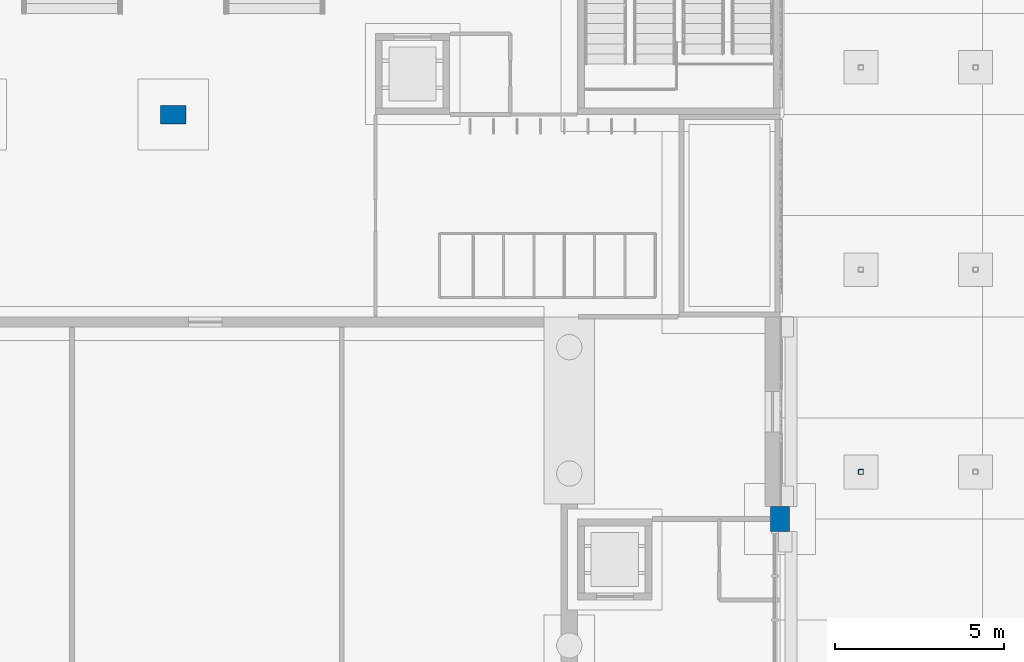
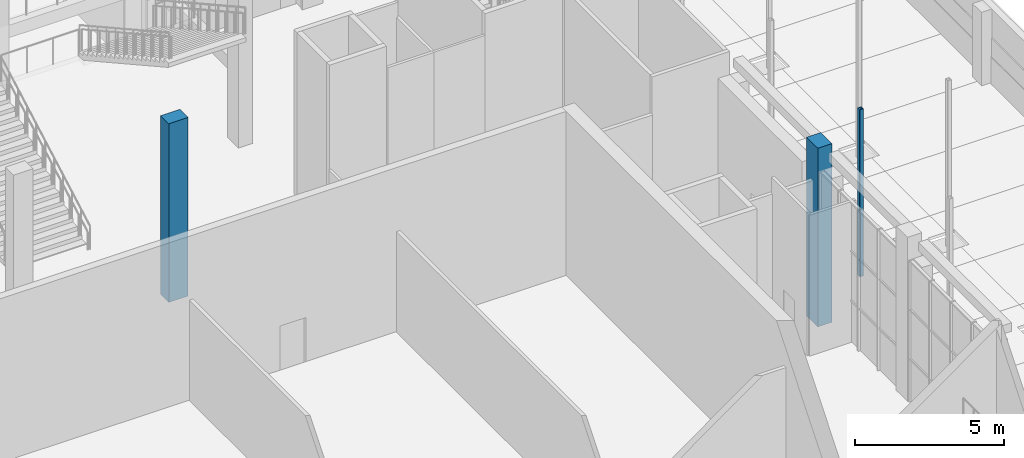
# One storey, part 14 of 95: 3 columns.
"""IFC4 building model written with IfcOpenShell, lengths in metres."""

from ifc_helpers import new_model, si_unit, direction, frame, origin, origin_2d, place, context, subcontext, project, spatial, rectangle, hollow_rectangle, extrude, material, material_profile, profile_set, type_object, element, save


model = new_model("IFC4")

# Units and contexts
model_context = context("Model", 3, precision=1e-05, world=origin(), true_north=direction((0.0, 1.0)))
body_context = subcontext(model_context, "Body", "Model", "MODEL_VIEW")
ifc_project = project(units=[si_unit("LENGTHUNIT", "METRE"), si_unit("AREAUNIT", "SQUARE_METRE"), si_unit("VOLUMEUNIT", "CUBIC_METRE"), si_unit("PLANEANGLEUNIT", "RADIAN"), si_unit("MASSUNIT", "GRAM", prefix="KILO")], contexts=[model_context])

# Site, building, storey
site_placement = place(None, origin())
site = spatial("IfcSite", under=ifc_project, at=site_placement, CompositionType="ELEMENT")
building_placement = place(site_placement, origin())
building = spatial("IfcBuilding", under=site, at=building_placement, Name="Saffron Lane Theatres", CompositionType="ELEMENT")
storey_placement = place(building_placement, origin())
storey = spatial("IfcBuildingStorey", under=building, at=storey_placement, Name="L00", CompositionType="ELEMENT", Elevation=0.0)

# Columns
ifc_material_1 = material(Name="Concrete N50 (50 MPa)", Category="concrete")
ifc_material_profile_1 = material_profile(ifc_material_1, rectangle(XDim=0.550048828125, YDim=0.75, at=origin_2d()))
ifc_profile_set_1 = profile_set([ifc_material_profile_1], Name="Concrete N50 (50 MPa)")
column_type_1 = type_object("IfcColumnType", Name="RC-COL 550x750", PredefinedType="COLUMN", material=ifc_profile_set_1)
column_1_placement = place(storey_placement, frame((54.0, 84.0, -0.300048828125), z_axis=(0.0, 0.0, 1.0), x_axis=(1.0, 0.0, 0.0)))
element("IfcColumn", 1, at=column_1_placement, inside=storey, type_object=column_type_1, Name="col-L00-K15", PredefinedType="COLUMN", context=body_context, shape_type="SweptSolid", body=[
    extrude(rectangle(XDim=0.550048828125, YDim=0.75, at=origin_2d()), origin(), (0.0, 0.0, 1.0), 7.300048828125),
])
ifc_material_2 = material(Name="Concrete N50 (50 MPa)", Category="concrete")
ifc_material_profile_2 = material_profile(ifc_material_2, rectangle(XDim=0.75, YDim=0.550048828125, at=origin_2d()))
ifc_profile_set_2 = profile_set([ifc_material_profile_2], Name="Concrete N50 (50 MPa)")
column_type_2 = type_object("IfcColumnType", Name="RC-COL 750x550", PredefinedType="COLUMN", material=ifc_profile_set_2)
column_2_placement = place(storey_placement, frame((36.0, 96.0, -0.300048828125), z_axis=(0.0, 0.0, 1.0), x_axis=(1.0, 0.0, 0.0)))
element("IfcColumn", 2, at=column_2_placement, inside=storey, type_object=column_type_2, Name="col-L00-G17", PredefinedType="COLUMN", context=body_context, shape_type="SweptSolid", body=[
    extrude(rectangle(XDim=0.75, YDim=0.550048828125, at=origin_2d()), origin(), (0.0, 0.0, 1.0), 7.300048828125),
])
ifc_material_3 = material(Name="Steel Grade 350", Category="steel")
ifc_material_profile_3 = material_profile(ifc_material_3, hollow_rectangle(XDim=0.14990234375, YDim=0.14990234375, WallThickness=0.009033203125, InnerFilletRadius=0.00439453125, OuterFilletRadius=0.013427734375, at=origin_2d()))
ifc_profile_set_3 = profile_set([ifc_material_profile_3], Name="Steel Grade 350")
column_type_3 = type_object("IfcColumnType", Name="ST-CANOPY COLUMN 150x150x9 SHS", PredefinedType="COLUMN", material=ifc_profile_set_3)
column_3_placement = place(storey_placement, frame((56.39990234375, 85.39990234375, -0.199951171875), z_axis=(0.0, 0.0, 1.0), x_axis=(1.0, 0.0, 0.0)))
element("IfcColumn", 3, at=column_3_placement, inside=storey, type_object=column_type_3, Name="CCW10", PredefinedType="COLUMN", context=body_context, shape_type="SweptSolid", body=[
    extrude(hollow_rectangle(XDim=0.14990234375, YDim=0.14990234375, WallThickness=0.009033203125, InnerFilletRadius=0.00439453125, OuterFilletRadius=0.013427734375, at=origin_2d()), origin(), (0.0, 0.0, 1.0), 6.822021484375),
])

save(model, "model.ifc")
